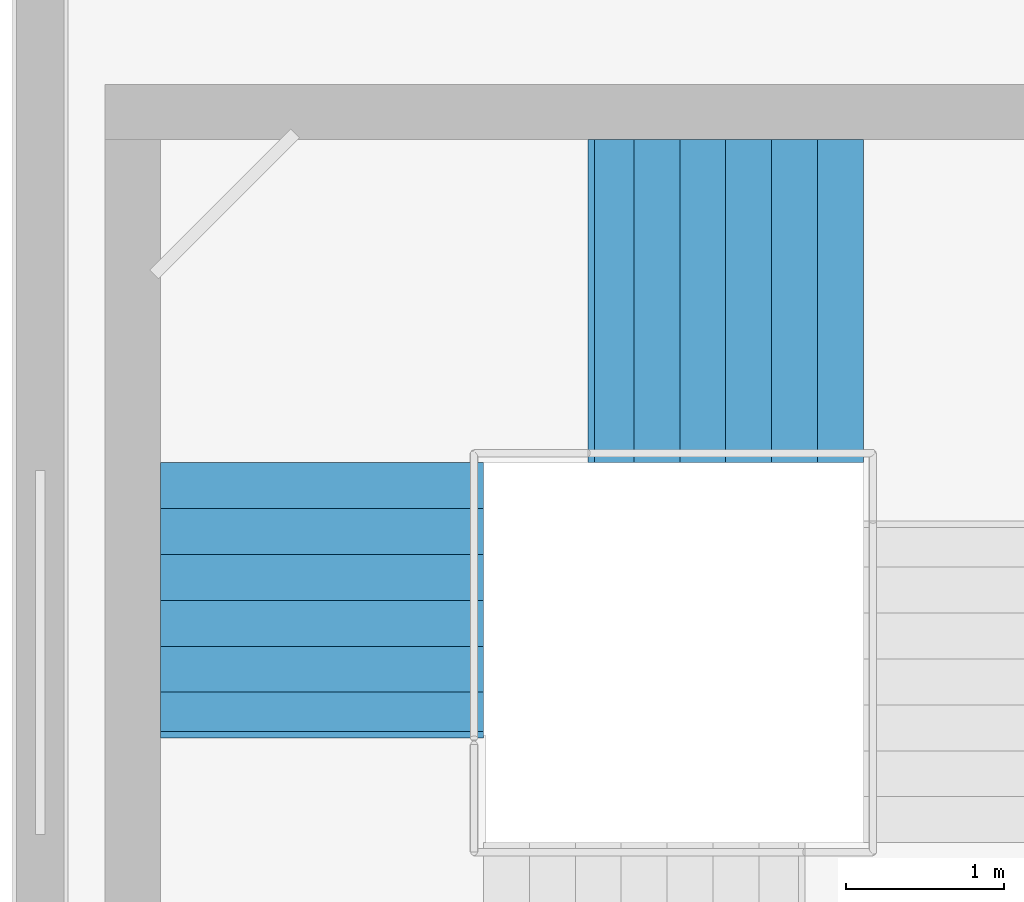
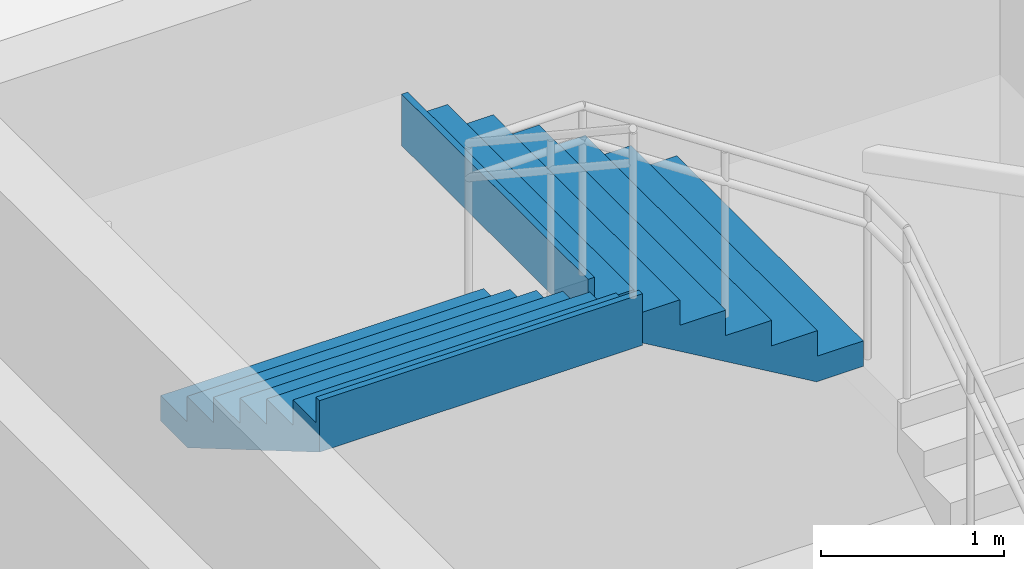
# One storey, part 63 of 66: 2 stair flights, 1 element without a shape of its own.
"""IFC4 building model written with IfcOpenShell, lengths in metres."""

from ifc_helpers import new_model, si_unit, direction, frame, origin, place, context, subcontext, project, spatial, triangles, material, type_object, element, aggregate, save


model = new_model("IFC4")

# Units and contexts
model_context = context("Model", 3, precision=1e-05, world=origin(), true_north=direction((0.0, 1.0)))
body_context = subcontext(model_context, "Body", "Model", "MODEL_VIEW")
ifc_project = project(units=[si_unit("LENGTHUNIT", "METRE"), si_unit("AREAUNIT", "SQUARE_METRE"), si_unit("VOLUMEUNIT", "CUBIC_METRE"), si_unit("PLANEANGLEUNIT", "RADIAN"), si_unit("MASSUNIT", "GRAM", prefix="KILO")], contexts=[model_context])

# Site, building, storey
site_placement = place(None, origin())
site = spatial("IfcSite", under=ifc_project, at=site_placement, CompositionType="ELEMENT")
building_placement = place(site_placement, origin())
building = spatial("IfcBuilding", under=site, at=building_placement, Name="Sillaruma Civic Art Gallery", CompositionType="ELEMENT")
storey_placement = place(building_placement, frame((0.0, 0.0, 57.1201171875)))
storey = spatial("IfcBuildingStorey", under=building, at=storey_placement, Name="L11", CompositionType="ELEMENT", Elevation=57.1201171875)

# Stair, stair flights
ifc_material = material(Name="Concrete H35 (35 MPa)", Category="concrete")
stair_type = type_object("IfcStairType", Name="STR-4F-30", PredefinedType="USERDEFINED", material=ifc_material)
stair_placement = place(storey_placement, origin())
stair = element("IfcStair", 1, at=stair_placement, inside=storey, type_object=stair_type, Name="Protected Exit Stair ST-02 (West Bar North) (L11)", ObjectType="THREE_RETURN_STAIR", PredefinedType="USERDEFINED")
stair_flight_type = type_object("IfcStairFlightType", Name="SFL-STR-7", PredefinedType="STRAIGHT", material=ifc_material)
stair_flight_1_placement = place(storey_placement, frame((67.199951171875, 86.3701171875, 2.719970703125), z_axis=(0.0, 0.0, 1.0), x_axis=(-1.0, 0.0, 0.0)))
stair_flight_1 = element("IfcStairFlight", 2, at=stair_flight_1_placement, type_object=stair_flight_type, Name="ST-02 flight 3", NumberOfRisers=7, NumberOfTreads=6, PredefinedType="STRAIGHT", RiserHeight=0.17, TreadLength=0.29, context=body_context, shape_type="Tessellation", body=[
    triangles([(0.0, -1.02001953125, 0.0), (0.29, -1.02001953125, 0.0), (0.296404, -1.02001953125, 0.0), (0.58, -1.02001953125, 0.166246), (0.87, -1.02001953125, 0.336246), (1.16, -1.02001953125, 0.506246), (1.45, -1.02001953125, 0.676246), (1.69999, -1.02001953125, 0.822792), (1.73999, -1.02001953125, 0.84624), (1.73999, -1.02001953125, 1.19), (1.69999, -1.02001953125, 1.19), (1.69999, -1.02001953125, 1.02), (1.45, -1.02001953125, 1.02), (1.45, -1.02001953125, 0.85), (1.16, -1.02001953125, 0.85), (1.16, -1.02001953125, 0.68), (0.87, -1.02001953125, 0.68), (0.87, -1.02001953125, 0.51), (0.58, -1.02001953125, 0.51), (0.58, -1.02001953125, 0.34), (0.296404, -1.02001953125, 0.34), (0.29, -1.02001953125, 0.34), (0.29, -1.02001953125, 0.17), (0.0, -1.02001953125, 0.17), (0.0, -0.05, 0.0), (0.29, -0.05, 0.0), (0.296404, -0.05, 0.0), (0.58, -0.05, 0.166246), (0.87, -0.05, 0.336246), (1.16, -0.05, 0.506246), (1.45, -0.05, 0.676246), (1.69999, -0.05, 0.822792), (1.73999, -0.05, 0.84624), (1.73999, -0.05, 1.19), (1.69999, -0.05, 1.19), (1.69999, -0.05, 1.02), (1.45, -0.05, 1.02), (1.45, -0.05, 0.85), (1.16, -0.05, 0.85), (1.16, -0.05, 0.68), (0.87, -0.05, 0.68), (0.87, -0.05, 0.51), (0.58, -0.05, 0.51), (0.58, -0.05, 0.34), (0.296404, -0.05, 0.34), (0.29, -0.05, 0.34), (0.29, -0.05, 0.17), (0.0, -0.05, 0.17), (0.0, -0.0375, 0.0), (0.29, -0.0375, 0.0), (0.296404, -0.0375, 0.0), (0.58, -0.0375, 0.166246), (0.87, -0.0375, 0.336246), (1.16, -0.0375, 0.506246), (1.45, -0.0375, 0.676246), (1.69999, -0.0375, 0.822792), (1.73999, -0.0375, 0.84624), (1.73999, -0.0375, 1.19), (1.69999, -0.0375, 1.19), (1.69999, -0.0375, 1.02), (1.45, -0.0375, 1.02), (1.45, -0.0375, 0.85), (1.16, -0.0375, 0.85), (1.16, -0.0375, 0.68), (0.87, -0.0375, 0.68), (0.87, -0.0375, 0.51), (0.58, -0.0375, 0.51), (0.58, -0.0375, 0.34), (0.296404, -0.0375, 0.34), (0.29, -0.0375, 0.34), (0.29, -0.0375, 0.17), (0.0, -0.0375, 0.17), (0.0, -0.025, 0.0), (0.29, -0.025, 0.0), (0.296404, -0.025, 0.0), (0.58, -0.025, 0.166246), (0.87, -0.025, 0.336246), (1.16, -0.025, 0.506246), (1.45, -0.025, 0.676246), (1.69999, -0.025, 0.822792), (1.73999, -0.025, 0.84624), (1.73999, -0.025, 1.19), (1.69999, -0.025, 1.19), (1.69999, -0.025, 1.02), (1.45, -0.025, 1.02), (1.45, -0.025, 0.85), (1.16, -0.025, 0.85), (1.16, -0.025, 0.68), (0.87, -0.025, 0.68), (0.87, -0.025, 0.51), (0.58, -0.025, 0.51), (0.58, -0.025, 0.34), (0.296404, -0.025, 0.34), (0.29, -0.025, 0.34), (0.29, -0.025, 0.17), (0.0, -0.025, 0.17), (0.0, -0.0125, 0.0), (0.29, -0.0125, 0.0), (0.296404, -0.0125, 0.0), (0.58, -0.0125, 0.166246), (0.87, -0.0125, 0.336246), (1.16, -0.0125, 0.506246), (1.45, -0.0125, 0.676246), (1.69999, -0.0125, 0.822792), (1.73999, -0.0125, 0.84624), (1.73999, -0.0125, 1.19), (1.69999, -0.0125, 1.19), (1.69999, -0.0125, 1.02), (1.45, -0.0125, 1.02), (1.45, -0.0125, 0.85), (1.16, -0.0125, 0.85), (1.16, -0.0125, 0.68), (0.87, -0.0125, 0.68), (0.87, -0.0125, 0.51), (0.58, -0.0125, 0.51), (0.58, -0.0125, 0.34), (0.296404, -0.0125, 0.34), (0.29, -0.0125, 0.34), (0.29, -0.0125, 0.17), (0.0, -0.0125, 0.17), (0.0, 0.0, 0.0), (0.29, 0.0, 0.0), (0.296404, 0.0, 0.0), (0.58, 0.0, 0.166246), (0.87, 0.0, 0.336246), (1.16, 0.0, 0.506246), (1.45, 0.0, 0.676246), (1.69999, 0.0, 0.822792), (1.73999, 0.0, 0.84624), (1.73999, 0.0, 1.19), (1.69999, 0.0, 1.19), (1.69999, 0.0, 1.02), (1.45, 0.0, 1.02), (1.45, 0.0, 0.85), (1.16, 0.0, 0.85), (1.16, 0.0, 0.68), (0.87, 0.0, 0.68), (0.87, 0.0, 0.51), (0.58, 0.0, 0.51), (0.58, 0.0, 0.34), (0.296404, 0.0, 0.34), (0.29, 0.0, 0.34), (0.29, 0.0, 0.17), (0.0, 0.0, 0.17), (0.0, 0.0125, 0.0), (0.29, 0.0125, 0.0), (0.296404, 0.0125, 0.0), (0.58, 0.0125, 0.166246), (0.87, 0.0125, 0.336246), (1.16, 0.0125, 0.506246), (1.45, 0.0125, 0.676246), (1.69999, 0.0125, 0.822792), (1.73999, 0.0125, 0.84624), (1.73999, 0.0125, 1.19), (1.69999, 0.0125, 1.19), (1.69999, 0.0125, 1.02), (1.45, 0.0125, 1.02), (1.45, 0.0125, 0.85), (1.16, 0.0125, 0.85), (1.16, 0.0125, 0.68), (0.87, 0.0125, 0.68), (0.87, 0.0125, 0.51), (0.58, 0.0125, 0.51), (0.58, 0.0125, 0.34), (0.296404, 0.0125, 0.34), (0.29, 0.0125, 0.34), (0.29, 0.0125, 0.17), (0.0, 0.0125, 0.17), (0.0, 0.025, 0.0), (0.29, 0.025, 0.0), (0.296404, 0.025, 0.0), (0.58, 0.025, 0.166246), (0.87, 0.025, 0.336246), (1.16, 0.025, 0.506246), (1.45, 0.025, 0.676246), (1.69999, 0.025, 0.822792), (1.73999, 0.025, 0.84624), (1.73999, 0.025, 1.19), (1.69999, 0.025, 1.19), (1.69999, 0.025, 1.02), (1.45, 0.025, 1.02), (1.45, 0.025, 0.85), (1.16, 0.025, 0.85), (1.16, 0.025, 0.68), (0.87, 0.025, 0.68), (0.87, 0.025, 0.51), (0.58, 0.025, 0.51), (0.58, 0.025, 0.34), (0.296404, 0.025, 0.34), (0.29, 0.025, 0.34), (0.29, 0.025, 0.17), (0.0, 0.025, 0.17), (0.0, 0.0375, 0.0), (0.29, 0.0375, 0.0), (0.296404, 0.0375, 0.0), (0.58, 0.0375, 0.166246), (0.87, 0.0375, 0.336246), (1.16, 0.0375, 0.506246), (1.45, 0.0375, 0.676246), (1.69999, 0.0375, 0.822792), (1.73999, 0.0375, 0.84624), (1.73999, 0.0375, 1.19), (1.69999, 0.0375, 1.19), (1.69999, 0.0375, 1.02), (1.45, 0.0375, 1.02), (1.45, 0.0375, 0.85), (1.16, 0.0375, 0.85), (1.16, 0.0375, 0.68), (0.87, 0.0375, 0.68), (0.87, 0.0375, 0.51), (0.58, 0.0375, 0.51), (0.58, 0.0375, 0.34), (0.296404, 0.0375, 0.34), (0.29, 0.0375, 0.34), (0.29, 0.0375, 0.17), (0.0, 0.0375, 0.17), (0.0, 0.05, 0.0), (0.29, 0.05, 0.0), (0.296404, 0.05, 0.0), (0.58, 0.05, 0.166246), (0.87, 0.05, 0.336246), (1.16, 0.05, 0.506246), (1.45, 0.05, 0.676246), (1.69999, 0.05, 0.822792), (1.73999, 0.05, 0.84624), (1.73999, 0.05, 1.19), (1.69999, 0.05, 1.19), (1.69999, 0.05, 1.02), (1.45, 0.05, 1.02), (1.45, 0.05, 0.85), (1.16, 0.05, 0.85), (1.16, 0.05, 0.68), (0.87, 0.05, 0.68), (0.87, 0.05, 0.51), (0.58, 0.05, 0.51), (0.58, 0.05, 0.34), (0.296404, 0.05, 0.34), (0.29, 0.05, 0.34), (0.29, 0.05, 0.17), (0.0, 0.05, 0.17), (0.0, 1.02001953125, 0.0), (0.29, 1.02001953125, 0.0), (0.296404, 1.02001953125, 0.0), (0.58, 1.02001953125, 0.166246), (0.87, 1.02001953125, 0.336246), (1.16, 1.02001953125, 0.506246), (1.45, 1.02001953125, 0.676246), (1.69999, 1.02001953125, 0.822792), (1.73999, 1.02001953125, 0.84624), (1.73999, 1.02001953125, 1.19), (1.69999, 1.02001953125, 1.19), (1.69999, 1.02001953125, 1.02), (1.45, 1.02001953125, 1.02), (1.45, 1.02001953125, 0.85), (1.16, 1.02001953125, 0.85), (1.16, 1.02001953125, 0.68), (0.87, 1.02001953125, 0.68), (0.87, 1.02001953125, 0.51), (0.58, 1.02001953125, 0.51), (0.58, 1.02001953125, 0.34), (0.296404, 1.02001953125, 0.34), (0.29, 1.02001953125, 0.34), (0.29, 1.02001953125, 0.17), (0.0, 1.02001953125, 0.17)], [[1, 2, 23], [1, 23, 24], [2, 3, 21], [2, 21, 23], [23, 21, 22], [3, 4, 20], [3, 20, 21], [4, 5, 18], [4, 18, 20], [20, 18, 19], [5, 6, 16], [5, 16, 18], [18, 16, 17], [6, 7, 14], [6, 14, 16], [16, 14, 15], [7, 8, 12], [7, 12, 14], [14, 12, 13], [8, 9, 10], [8, 10, 12], [12, 10, 11], [263, 242, 241], [264, 263, 241], [261, 243, 242], [263, 261, 242], [262, 261, 263], [260, 244, 243], [261, 260, 243], [258, 245, 244], [260, 258, 244], [259, 258, 260], [256, 246, 245], [258, 256, 245], [257, 256, 258], [254, 247, 246], [256, 254, 246], [255, 254, 256], [252, 248, 247], [254, 252, 247], [253, 252, 254], [250, 249, 248], [252, 250, 248], [251, 250, 252], [2, 1, 25], [2, 25, 26], [3, 2, 26], [3, 26, 27], [4, 3, 27], [4, 27, 28], [5, 4, 28], [5, 28, 29], [6, 5, 29], [6, 29, 30], [7, 6, 30], [7, 30, 31], [8, 7, 31], [8, 31, 32], [9, 8, 32], [9, 32, 33], [10, 9, 33], [10, 33, 34], [11, 10, 34], [11, 34, 35], [12, 11, 35], [12, 35, 36], [13, 12, 36], [13, 36, 37], [14, 13, 37], [14, 37, 38], [15, 14, 38], [15, 38, 39], [16, 15, 39], [16, 39, 40], [17, 16, 40], [17, 40, 41], [18, 17, 41], [18, 41, 42], [19, 18, 42], [19, 42, 43], [20, 19, 43], [20, 43, 44], [21, 20, 44], [21, 44, 45], [22, 21, 45], [22, 45, 46], [23, 22, 46], [23, 46, 47], [24, 23, 47], [24, 47, 48], [1, 24, 48], [1, 48, 25], [26, 25, 49], [26, 49, 50], [27, 26, 50], [27, 50, 51], [28, 27, 51], [28, 51, 52], [29, 28, 52], [29, 52, 53], [30, 29, 53], [30, 53, 54], [31, 30, 54], [31, 54, 55], [32, 31, 55], [32, 55, 56], [33, 32, 56], [33, 56, 57], [34, 33, 57], [34, 57, 58], [35, 34, 58], [35, 58, 59], [36, 35, 59], [36, 59, 60], [37, 36, 60], [37, 60, 61], [38, 37, 61], [38, 61, 62], [39, 38, 62], [39, 62, 63], [40, 39, 63], [40, 63, 64], [41, 40, 64], [41, 64, 65], [42, 41, 65], [42, 65, 66], [43, 42, 66], [43, 66, 67], [44, 43, 67], [44, 67, 68], [45, 44, 68], [45, 68, 69], [46, 45, 69], [46, 69, 70], [47, 46, 70], [47, 70, 71], [48, 47, 71], [48, 71, 72], [25, 48, 72], [25, 72, 49], [50, 49, 73], [50, 73, 74], [51, 50, 74], [51, 74, 75], [52, 51, 75], [52, 75, 76], [53, 52, 76], [53, 76, 77], [54, 53, 77], [54, 77, 78], [55, 54, 78], [55, 78, 79], [56, 55, 79], [56, 79, 80], [57, 56, 80], [57, 80, 81], [58, 57, 81], [58, 81, 82], [59, 58, 82], [59, 82, 83], [60, 59, 83], [60, 83, 84], [61, 60, 84], [61, 84, 85], [62, 61, 85], [62, 85, 86], [63, 62, 86], [63, 86, 87], [64, 63, 87], [64, 87, 88], [65, 64, 88], [65, 88, 89], [66, 65, 89], [66, 89, 90], [67, 66, 90], [67, 90, 91], [68, 67, 91], [68, 91, 92], [69, 68, 92], [69, 92, 93], [70, 69, 93], [70, 93, 94], [71, 70, 94], [71, 94, 95], [72, 71, 95], [72, 95, 96], [49, 72, 96], [49, 96, 73], [74, 73, 97], [74, 97, 98], [75, 74, 98], [75, 98, 99], [76, 75, 99], [76, 99, 100], [77, 76, 100], [77, 100, 101], [78, 77, 101], [78, 101, 102], [79, 78, 102], [79, 102, 103], [80, 79, 103], [80, 103, 104], [81, 80, 104], [81, 104, 105], [82, 81, 105], [82, 105, 106], [83, 82, 106], [83, 106, 107], [84, 83, 107], [84, 107, 108], [85, 84, 108], [85, 108, 109], [86, 85, 109], [86, 109, 110], [87, 86, 110], [87, 110, 111], [88, 87, 111], [88, 111, 112], [89, 88, 112], [89, 112, 113], [90, 89, 113], [90, 113, 114], [91, 90, 114], [91, 114, 115], [92, 91, 115], [92, 115, 116], [93, 92, 116], [93, 116, 117], [94, 93, 117], [94, 117, 118], [95, 94, 118], [95, 118, 119], [96, 95, 119], [96, 119, 120], [73, 96, 120], [73, 120, 97], [98, 97, 121], [98, 121, 122], [99, 98, 122], [99, 122, 123], [100, 99, 123], [100, 123, 124], [101, 100, 124], [101, 124, 125], [102, 101, 125], [102, 125, 126], [103, 102, 126], [103, 126, 127], [104, 103, 127], [104, 127, 128], [105, 104, 128], [105, 128, 129], [106, 105, 129], [106, 129, 130], [107, 106, 130], [107, 130, 131], [108, 107, 131], [108, 131, 132], [109, 108, 132], [109, 132, 133], [110, 109, 133], [110, 133, 134], [111, 110, 134], [111, 134, 135], [112, 111, 135], [112, 135, 136], [113, 112, 136], [113, 136, 137], [114, 113, 137], [114, 137, 138], [115, 114, 138], [115, 138, 139], [116, 115, 139], [116, 139, 140], [117, 116, 140], [117, 140, 141], [118, 117, 141], [118, 141, 142], [119, 118, 142], [119, 142, 143], [120, 119, 143], [120, 143, 144], [97, 120, 144], [97, 144, 121], [122, 121, 145], [122, 145, 146], [123, 122, 146], [123, 146, 147], [124, 123, 147], [124, 147, 148], [125, 124, 148], [125, 148, 149], [126, 125, 149], [126, 149, 150], [127, 126, 150], [127, 150, 151], [128, 127, 151], [128, 151, 152], [129, 128, 152], [129, 152, 153], [130, 129, 153], [130, 153, 154], [131, 130, 154], [131, 154, 155], [132, 131, 155], [132, 155, 156], [133, 132, 156], [133, 156, 157], [134, 133, 157], [134, 157, 158], [135, 134, 158], [135, 158, 159], [136, 135, 159], [136, 159, 160], [137, 136, 160], [137, 160, 161], [138, 137, 161], [138, 161, 162], [139, 138, 162], [139, 162, 163], [140, 139, 163], [140, 163, 164], [141, 140, 164], [141, 164, 165], [142, 141, 165], [142, 165, 166], [143, 142, 166], [143, 166, 167], [144, 143, 167], [144, 167, 168], [121, 144, 168], [121, 168, 145], [146, 145, 169], [146, 169, 170], [147, 146, 170], [147, 170, 171], [148, 147, 171], [148, 171, 172], [149, 148, 172], [149, 172, 173], [150, 149, 173], [150, 173, 174], [151, 150, 174], [151, 174, 175], [152, 151, 175], [152, 175, 176], [153, 152, 176], [153, 176, 177], [154, 153, 177], [154, 177, 178], [155, 154, 178], [155, 178, 179], [156, 155, 179], [156, 179, 180], [157, 156, 180], [157, 180, 181], [158, 157, 181], [158, 181, 182], [159, 158, 182], [159, 182, 183], [160, 159, 183], [160, 183, 184], [161, 160, 184], [161, 184, 185], [162, 161, 185], [162, 185, 186], [163, 162, 186], [163, 186, 187], [164, 163, 187], [164, 187, 188], [165, 164, 188], [165, 188, 189], [166, 165, 189], [166, 189, 190], [167, 166, 190], [167, 190, 191], [168, 167, 191], [168, 191, 192], [145, 168, 192], [145, 192, 169], [170, 169, 193], [170, 193, 194], [171, 170, 194], [171, 194, 195], [172, 171, 195], [172, 195, 196], [173, 172, 196], [173, 196, 197], [174, 173, 197], [174, 197, 198], [175, 174, 198], [175, 198, 199], [176, 175, 199], [176, 199, 200], [177, 176, 200], [177, 200, 201], [178, 177, 201], [178, 201, 202], [179, 178, 202], [179, 202, 203], [180, 179, 203], [180, 203, 204], [181, 180, 204], [181, 204, 205], [182, 181, 205], [182, 205, 206], [183, 182, 206], [183, 206, 207], [184, 183, 207], [184, 207, 208], [185, 184, 208], [185, 208, 209], [186, 185, 209], [186, 209, 210], [187, 186, 210], [187, 210, 211], [188, 187, 211], [188, 211, 212], [189, 188, 212], [189, 212, 213], [190, 189, 213], [190, 213, 214], [191, 190, 214], [191, 214, 215], [192, 191, 215], [192, 215, 216], [169, 192, 216], [169, 216, 193], [194, 193, 217], [194, 217, 218], [195, 194, 218], [195, 218, 219], [196, 195, 219], [196, 219, 220], [197, 196, 220], [197, 220, 221], [198, 197, 221], [198, 221, 222], [199, 198, 222], [199, 222, 223], [200, 199, 223], [200, 223, 224], [201, 200, 224], [201, 224, 225], [202, 201, 225], [202, 225, 226], [203, 202, 226], [203, 226, 227], [204, 203, 227], [204, 227, 228], [205, 204, 228], [205, 228, 229], [206, 205, 229], [206, 229, 230], [207, 206, 230], [207, 230, 231], [208, 207, 231], [208, 231, 232], [209, 208, 232], [209, 232, 233], [210, 209, 233], [210, 233, 234], [211, 210, 234], [211, 234, 235], [212, 211, 235], [212, 235, 236], [213, 212, 236], [213, 236, 237], [214, 213, 237], [214, 237, 238], [215, 214, 238], [215, 238, 239], [216, 215, 239], [216, 239, 240], [193, 216, 240], [193, 240, 217], [218, 217, 241], [218, 241, 242], [219, 218, 242], [219, 242, 243], [220, 219, 243], [220, 243, 244], [221, 220, 244], [221, 244, 245], [222, 221, 245], [222, 245, 246], [223, 222, 246], [223, 246, 247], [224, 223, 247], [224, 247, 248], [225, 224, 248], [225, 248, 249], [226, 225, 249], [226, 249, 250], [227, 226, 250], [227, 250, 251], [228, 227, 251], [228, 251, 252], [229, 228, 252], [229, 252, 253], [230, 229, 253], [230, 253, 254], [231, 230, 254], [231, 254, 255], [232, 231, 255], [232, 255, 256], [233, 232, 256], [233, 256, 257], [234, 233, 257], [234, 257, 258], [235, 234, 258], [235, 258, 259], [236, 235, 259], [236, 259, 260], [237, 236, 260], [237, 260, 261], [238, 237, 261], [238, 261, 262], [239, 238, 262], [239, 262, 263], [240, 239, 263], [240, 263, 264], [217, 240, 264], [217, 264, 241]], closed=True),
])
stair_flight_2_placement = place(storey_placement, frame((63.780029296875, 85.35009765625, 3.909912109375), z_axis=(0.0, 0.0, 1.0), x_axis=(0.0, -1.0, 0.0)))
stair_flight_2 = element("IfcStairFlight", 3, at=stair_flight_2_placement, type_object=stair_flight_type, Name="ST-02 flight 4", NumberOfRisers=7, NumberOfTreads=6, PredefinedType="STRAIGHT", RiserHeight=0.17, TreadLength=0.29, context=body_context, shape_type="Tessellation", body=[
    triangles([(0.0, -1.02001953125, 0.0), (0.29, -1.02001953125, 0.0), (0.296404, -1.02001953125, 0.0), (0.58, -1.02001953125, 0.166246), (0.87, -1.02001953125, 0.336246), (1.16, -1.02001953125, 0.506246), (1.45, -1.02001953125, 0.676246), (1.69999, -1.02001953125, 0.822792), (1.73999, -1.02001953125, 0.84624), (1.73999, -1.02001953125, 1.19), (1.69999, -1.02001953125, 1.19), (1.69999, -1.02001953125, 1.02), (1.45, -1.02001953125, 1.02), (1.45, -1.02001953125, 0.85), (1.16, -1.02001953125, 0.85), (1.16, -1.02001953125, 0.68), (0.87, -1.02001953125, 0.68), (0.87, -1.02001953125, 0.51), (0.58, -1.02001953125, 0.51), (0.58, -1.02001953125, 0.34), (0.296404, -1.02001953125, 0.34), (0.29, -1.02001953125, 0.34), (0.29, -1.02001953125, 0.17), (0.0, -1.02001953125, 0.17), (0.0, -0.05, 0.0), (0.29, -0.05, 0.0), (0.296404, -0.05, 0.0), (0.58, -0.05, 0.166246), (0.87, -0.05, 0.336246), (1.16, -0.05, 0.506246), (1.45, -0.05, 0.676246), (1.69999, -0.05, 0.822792), (1.73999, -0.05, 0.84624), (1.73999, -0.05, 1.19), (1.69999, -0.05, 1.19), (1.69999, -0.05, 1.02), (1.45, -0.05, 1.02), (1.45, -0.05, 0.85), (1.16, -0.05, 0.85), (1.16, -0.05, 0.68), (0.87, -0.05, 0.68), (0.87, -0.05, 0.51), (0.58, -0.05, 0.51), (0.58, -0.05, 0.34), (0.296404, -0.05, 0.34), (0.29, -0.05, 0.34), (0.29, -0.05, 0.17), (0.0, -0.05, 0.17), (0.0, -0.0375, 0.0), (0.29, -0.0375, 0.0), (0.296404, -0.0375, 0.0), (0.58, -0.0375, 0.166246), (0.87, -0.0375, 0.336246), (1.16, -0.0375, 0.506246), (1.45, -0.0375, 0.676246), (1.69999, -0.0375, 0.822792), (1.73999, -0.0375, 0.84624), (1.73999, -0.0375, 1.19), (1.69999, -0.0375, 1.19), (1.69999, -0.0375, 1.02), (1.45, -0.0375, 1.02), (1.45, -0.0375, 0.85), (1.16, -0.0375, 0.85), (1.16, -0.0375, 0.68), (0.87, -0.0375, 0.68), (0.87, -0.0375, 0.51), (0.58, -0.0375, 0.51), (0.58, -0.0375, 0.34), (0.296404, -0.0375, 0.34), (0.29, -0.0375, 0.34), (0.29, -0.0375, 0.17), (0.0, -0.0375, 0.17), (0.0, -0.025, 0.0), (0.29, -0.025, 0.0), (0.296404, -0.025, 0.0), (0.58, -0.025, 0.166246), (0.87, -0.025, 0.336246), (1.16, -0.025, 0.506246), (1.45, -0.025, 0.676246), (1.69999, -0.025, 0.822792), (1.73999, -0.025, 0.84624), (1.73999, -0.025, 1.19), (1.69999, -0.025, 1.19), (1.69999, -0.025, 1.02), (1.45, -0.025, 1.02), (1.45, -0.025, 0.85), (1.16, -0.025, 0.85), (1.16, -0.025, 0.68), (0.87, -0.025, 0.68), (0.87, -0.025, 0.51), (0.58, -0.025, 0.51), (0.58, -0.025, 0.34), (0.296404, -0.025, 0.34), (0.29, -0.025, 0.34), (0.29, -0.025, 0.17), (0.0, -0.025, 0.17), (0.0, -0.0125, 0.0), (0.29, -0.0125, 0.0), (0.296404, -0.0125, 0.0), (0.58, -0.0125, 0.166246), (0.87, -0.0125, 0.336246), (1.16, -0.0125, 0.506246), (1.45, -0.0125, 0.676246), (1.69999, -0.0125, 0.822792), (1.73999, -0.0125, 0.84624), (1.73999, -0.0125, 1.19), (1.69999, -0.0125, 1.19), (1.69999, -0.0125, 1.02), (1.45, -0.0125, 1.02), (1.45, -0.0125, 0.85), (1.16, -0.0125, 0.85), (1.16, -0.0125, 0.68), (0.87, -0.0125, 0.68), (0.87, -0.0125, 0.51), (0.58, -0.0125, 0.51), (0.58, -0.0125, 0.34), (0.296404, -0.0125, 0.34), (0.29, -0.0125, 0.34), (0.29, -0.0125, 0.17), (0.0, -0.0125, 0.17), (0.0, 0.0, 0.0), (0.29, 0.0, 0.0), (0.296404, 0.0, 0.0), (0.58, 0.0, 0.166246), (0.87, 0.0, 0.336246), (1.16, 0.0, 0.506246), (1.45, 0.0, 0.676246), (1.69999, 0.0, 0.822792), (1.73999, 0.0, 0.84624), (1.73999, 0.0, 1.19), (1.69999, 0.0, 1.19), (1.69999, 0.0, 1.02), (1.45, 0.0, 1.02), (1.45, 0.0, 0.85), (1.16, 0.0, 0.85), (1.16, 0.0, 0.68), (0.87, 0.0, 0.68), (0.87, 0.0, 0.51), (0.58, 0.0, 0.51), (0.58, 0.0, 0.34), (0.296404, 0.0, 0.34), (0.29, 0.0, 0.34), (0.29, 0.0, 0.17), (0.0, 0.0, 0.17), (0.0, 0.0125, 0.0), (0.29, 0.0125, 0.0), (0.296404, 0.0125, 0.0), (0.58, 0.0125, 0.166246), (0.87, 0.0125, 0.336246), (1.16, 0.0125, 0.506246), (1.45, 0.0125, 0.676246), (1.69999, 0.0125, 0.822792), (1.73999, 0.0125, 0.84624), (1.73999, 0.0125, 1.19), (1.69999, 0.0125, 1.19), (1.69999, 0.0125, 1.02), (1.45, 0.0125, 1.02), (1.45, 0.0125, 0.85), (1.16, 0.0125, 0.85), (1.16, 0.0125, 0.68), (0.87, 0.0125, 0.68), (0.87, 0.0125, 0.51), (0.58, 0.0125, 0.51), (0.58, 0.0125, 0.34), (0.296404, 0.0125, 0.34), (0.29, 0.0125, 0.34), (0.29, 0.0125, 0.17), (0.0, 0.0125, 0.17), (0.0, 0.025, 0.0), (0.29, 0.025, 0.0), (0.296404, 0.025, 0.0), (0.58, 0.025, 0.166246), (0.87, 0.025, 0.336246), (1.16, 0.025, 0.506246), (1.45, 0.025, 0.676246), (1.69999, 0.025, 0.822792), (1.73999, 0.025, 0.84624), (1.73999, 0.025, 1.19), (1.69999, 0.025, 1.19), (1.69999, 0.025, 1.02), (1.45, 0.025, 1.02), (1.45, 0.025, 0.85), (1.16, 0.025, 0.85), (1.16, 0.025, 0.68), (0.87, 0.025, 0.68), (0.87, 0.025, 0.51), (0.58, 0.025, 0.51), (0.58, 0.025, 0.34), (0.296404, 0.025, 0.34), (0.29, 0.025, 0.34), (0.29, 0.025, 0.17), (0.0, 0.025, 0.17), (0.0, 0.0375, 0.0), (0.29, 0.0375, 0.0), (0.296404, 0.0375, 0.0), (0.58, 0.0375, 0.166246), (0.87, 0.0375, 0.336246), (1.16, 0.0375, 0.506246), (1.45, 0.0375, 0.676246), (1.69999, 0.0375, 0.822792), (1.73999, 0.0375, 0.84624), (1.73999, 0.0375, 1.19), (1.69999, 0.0375, 1.19), (1.69999, 0.0375, 1.02), (1.45, 0.0375, 1.02), (1.45, 0.0375, 0.85), (1.16, 0.0375, 0.85), (1.16, 0.0375, 0.68), (0.87, 0.0375, 0.68), (0.87, 0.0375, 0.51), (0.58, 0.0375, 0.51), (0.58, 0.0375, 0.34), (0.296404, 0.0375, 0.34), (0.29, 0.0375, 0.34), (0.29, 0.0375, 0.17), (0.0, 0.0375, 0.17), (0.0, 0.05, 0.0), (0.29, 0.05, 0.0), (0.296404, 0.05, 0.0), (0.58, 0.05, 0.166246), (0.87, 0.05, 0.336246), (1.16, 0.05, 0.506246), (1.45, 0.05, 0.676246), (1.69999, 0.05, 0.822792), (1.73999, 0.05, 0.84624), (1.73999, 0.05, 1.19), (1.69999, 0.05, 1.19), (1.69999, 0.05, 1.02), (1.45, 0.05, 1.02), (1.45, 0.05, 0.85), (1.16, 0.05, 0.85), (1.16, 0.05, 0.68), (0.87, 0.05, 0.68), (0.87, 0.05, 0.51), (0.58, 0.05, 0.51), (0.58, 0.05, 0.34), (0.296404, 0.05, 0.34), (0.29, 0.05, 0.34), (0.29, 0.05, 0.17), (0.0, 0.05, 0.17), (0.0, 1.02001953125, 0.0), (0.29, 1.02001953125, 0.0), (0.296404, 1.02001953125, 0.0), (0.58, 1.02001953125, 0.166246), (0.87, 1.02001953125, 0.336246), (1.16, 1.02001953125, 0.506246), (1.45, 1.02001953125, 0.676246), (1.69999, 1.02001953125, 0.822792), (1.73999, 1.02001953125, 0.84624), (1.73999, 1.02001953125, 1.19), (1.69999, 1.02001953125, 1.19), (1.69999, 1.02001953125, 1.02), (1.45, 1.02001953125, 1.02), (1.45, 1.02001953125, 0.85), (1.16, 1.02001953125, 0.85), (1.16, 1.02001953125, 0.68), (0.87, 1.02001953125, 0.68), (0.87, 1.02001953125, 0.51), (0.58, 1.02001953125, 0.51), (0.58, 1.02001953125, 0.34), (0.296404, 1.02001953125, 0.34), (0.29, 1.02001953125, 0.34), (0.29, 1.02001953125, 0.17), (0.0, 1.02001953125, 0.17)], [[1, 2, 23], [1, 23, 24], [2, 3, 21], [2, 21, 23], [23, 21, 22], [3, 4, 20], [3, 20, 21], [4, 5, 18], [4, 18, 20], [20, 18, 19], [5, 6, 16], [5, 16, 18], [18, 16, 17], [6, 7, 14], [6, 14, 16], [16, 14, 15], [7, 8, 12], [7, 12, 14], [14, 12, 13], [8, 9, 10], [8, 10, 12], [12, 10, 11], [263, 242, 241], [264, 263, 241], [261, 243, 242], [263, 261, 242], [262, 261, 263], [260, 244, 243], [261, 260, 243], [258, 245, 244], [260, 258, 244], [259, 258, 260], [256, 246, 245], [258, 256, 245], [257, 256, 258], [254, 247, 246], [256, 254, 246], [255, 254, 256], [252, 248, 247], [254, 252, 247], [253, 252, 254], [250, 249, 248], [252, 250, 248], [251, 250, 252], [2, 1, 25], [2, 25, 26], [3, 2, 26], [3, 26, 27], [4, 3, 27], [4, 27, 28], [5, 4, 28], [5, 28, 29], [6, 5, 29], [6, 29, 30], [7, 6, 30], [7, 30, 31], [8, 7, 31], [8, 31, 32], [9, 8, 32], [9, 32, 33], [10, 9, 33], [10, 33, 34], [11, 10, 34], [11, 34, 35], [12, 11, 35], [12, 35, 36], [13, 12, 36], [13, 36, 37], [14, 13, 37], [14, 37, 38], [15, 14, 38], [15, 38, 39], [16, 15, 39], [16, 39, 40], [17, 16, 40], [17, 40, 41], [18, 17, 41], [18, 41, 42], [19, 18, 42], [19, 42, 43], [20, 19, 43], [20, 43, 44], [21, 20, 44], [21, 44, 45], [22, 21, 45], [22, 45, 46], [23, 22, 46], [23, 46, 47], [24, 23, 47], [24, 47, 48], [1, 24, 48], [1, 48, 25], [26, 25, 49], [26, 49, 50], [27, 26, 50], [27, 50, 51], [28, 27, 51], [28, 51, 52], [29, 28, 52], [29, 52, 53], [30, 29, 53], [30, 53, 54], [31, 30, 54], [31, 54, 55], [32, 31, 55], [32, 55, 56], [33, 32, 56], [33, 56, 57], [34, 33, 57], [34, 57, 58], [35, 34, 58], [35, 58, 59], [36, 35, 59], [36, 59, 60], [37, 36, 60], [37, 60, 61], [38, 37, 61], [38, 61, 62], [39, 38, 62], [39, 62, 63], [40, 39, 63], [40, 63, 64], [41, 40, 64], [41, 64, 65], [42, 41, 65], [42, 65, 66], [43, 42, 66], [43, 66, 67], [44, 43, 67], [44, 67, 68], [45, 44, 68], [45, 68, 69], [46, 45, 69], [46, 69, 70], [47, 46, 70], [47, 70, 71], [48, 47, 71], [48, 71, 72], [25, 48, 72], [25, 72, 49], [50, 49, 73], [50, 73, 74], [51, 50, 74], [51, 74, 75], [52, 51, 75], [52, 75, 76], [53, 52, 76], [53, 76, 77], [54, 53, 77], [54, 77, 78], [55, 54, 78], [55, 78, 79], [56, 55, 79], [56, 79, 80], [57, 56, 80], [57, 80, 81], [58, 57, 81], [58, 81, 82], [59, 58, 82], [59, 82, 83], [60, 59, 83], [60, 83, 84], [61, 60, 84], [61, 84, 85], [62, 61, 85], [62, 85, 86], [63, 62, 86], [63, 86, 87], [64, 63, 87], [64, 87, 88], [65, 64, 88], [65, 88, 89], [66, 65, 89], [66, 89, 90], [67, 66, 90], [67, 90, 91], [68, 67, 91], [68, 91, 92], [69, 68, 92], [69, 92, 93], [70, 69, 93], [70, 93, 94], [71, 70, 94], [71, 94, 95], [72, 71, 95], [72, 95, 96], [49, 72, 96], [49, 96, 73], [74, 73, 97], [74, 97, 98], [75, 74, 98], [75, 98, 99], [76, 75, 99], [76, 99, 100], [77, 76, 100], [77, 100, 101], [78, 77, 101], [78, 101, 102], [79, 78, 102], [79, 102, 103], [80, 79, 103], [80, 103, 104], [81, 80, 104], [81, 104, 105], [82, 81, 105], [82, 105, 106], [83, 82, 106], [83, 106, 107], [84, 83, 107], [84, 107, 108], [85, 84, 108], [85, 108, 109], [86, 85, 109], [86, 109, 110], [87, 86, 110], [87, 110, 111], [88, 87, 111], [88, 111, 112], [89, 88, 112], [89, 112, 113], [90, 89, 113], [90, 113, 114], [91, 90, 114], [91, 114, 115], [92, 91, 115], [92, 115, 116], [93, 92, 116], [93, 116, 117], [94, 93, 117], [94, 117, 118], [95, 94, 118], [95, 118, 119], [96, 95, 119], [96, 119, 120], [73, 96, 120], [73, 120, 97], [98, 97, 121], [98, 121, 122], [99, 98, 122], [99, 122, 123], [100, 99, 123], [100, 123, 124], [101, 100, 124], [101, 124, 125], [102, 101, 125], [102, 125, 126], [103, 102, 126], [103, 126, 127], [104, 103, 127], [104, 127, 128], [105, 104, 128], [105, 128, 129], [106, 105, 129], [106, 129, 130], [107, 106, 130], [107, 130, 131], [108, 107, 131], [108, 131, 132], [109, 108, 132], [109, 132, 133], [110, 109, 133], [110, 133, 134], [111, 110, 134], [111, 134, 135], [112, 111, 135], [112, 135, 136], [113, 112, 136], [113, 136, 137], [114, 113, 137], [114, 137, 138], [115, 114, 138], [115, 138, 139], [116, 115, 139], [116, 139, 140], [117, 116, 140], [117, 140, 141], [118, 117, 141], [118, 141, 142], [119, 118, 142], [119, 142, 143], [120, 119, 143], [120, 143, 144], [97, 120, 144], [97, 144, 121], [122, 121, 145], [122, 145, 146], [123, 122, 146], [123, 146, 147], [124, 123, 147], [124, 147, 148], [125, 124, 148], [125, 148, 149], [126, 125, 149], [126, 149, 150], [127, 126, 150], [127, 150, 151], [128, 127, 151], [128, 151, 152], [129, 128, 152], [129, 152, 153], [130, 129, 153], [130, 153, 154], [131, 130, 154], [131, 154, 155], [132, 131, 155], [132, 155, 156], [133, 132, 156], [133, 156, 157], [134, 133, 157], [134, 157, 158], [135, 134, 158], [135, 158, 159], [136, 135, 159], [136, 159, 160], [137, 136, 160], [137, 160, 161], [138, 137, 161], [138, 161, 162], [139, 138, 162], [139, 162, 163], [140, 139, 163], [140, 163, 164], [141, 140, 164], [141, 164, 165], [142, 141, 165], [142, 165, 166], [143, 142, 166], [143, 166, 167], [144, 143, 167], [144, 167, 168], [121, 144, 168], [121, 168, 145], [146, 145, 169], [146, 169, 170], [147, 146, 170], [147, 170, 171], [148, 147, 171], [148, 171, 172], [149, 148, 172], [149, 172, 173], [150, 149, 173], [150, 173, 174], [151, 150, 174], [151, 174, 175], [152, 151, 175], [152, 175, 176], [153, 152, 176], [153, 176, 177], [154, 153, 177], [154, 177, 178], [155, 154, 178], [155, 178, 179], [156, 155, 179], [156, 179, 180], [157, 156, 180], [157, 180, 181], [158, 157, 181], [158, 181, 182], [159, 158, 182], [159, 182, 183], [160, 159, 183], [160, 183, 184], [161, 160, 184], [161, 184, 185], [162, 161, 185], [162, 185, 186], [163, 162, 186], [163, 186, 187], [164, 163, 187], [164, 187, 188], [165, 164, 188], [165, 188, 189], [166, 165, 189], [166, 189, 190], [167, 166, 190], [167, 190, 191], [168, 167, 191], [168, 191, 192], [145, 168, 192], [145, 192, 169], [170, 169, 193], [170, 193, 194], [171, 170, 194], [171, 194, 195], [172, 171, 195], [172, 195, 196], [173, 172, 196], [173, 196, 197], [174, 173, 197], [174, 197, 198], [175, 174, 198], [175, 198, 199], [176, 175, 199], [176, 199, 200], [177, 176, 200], [177, 200, 201], [178, 177, 201], [178, 201, 202], [179, 178, 202], [179, 202, 203], [180, 179, 203], [180, 203, 204], [181, 180, 204], [181, 204, 205], [182, 181, 205], [182, 205, 206], [183, 182, 206], [183, 206, 207], [184, 183, 207], [184, 207, 208], [185, 184, 208], [185, 208, 209], [186, 185, 209], [186, 209, 210], [187, 186, 210], [187, 210, 211], [188, 187, 211], [188, 211, 212], [189, 188, 212], [189, 212, 213], [190, 189, 213], [190, 213, 214], [191, 190, 214], [191, 214, 215], [192, 191, 215], [192, 215, 216], [169, 192, 216], [169, 216, 193], [194, 193, 217], [194, 217, 218], [195, 194, 218], [195, 218, 219], [196, 195, 219], [196, 219, 220], [197, 196, 220], [197, 220, 221], [198, 197, 221], [198, 221, 222], [199, 198, 222], [199, 222, 223], [200, 199, 223], [200, 223, 224], [201, 200, 224], [201, 224, 225], [202, 201, 225], [202, 225, 226], [203, 202, 226], [203, 226, 227], [204, 203, 227], [204, 227, 228], [205, 204, 228], [205, 228, 229], [206, 205, 229], [206, 229, 230], [207, 206, 230], [207, 230, 231], [208, 207, 231], [208, 231, 232], [209, 208, 232], [209, 232, 233], [210, 209, 233], [210, 233, 234], [211, 210, 234], [211, 234, 235], [212, 211, 235], [212, 235, 236], [213, 212, 236], [213, 236, 237], [214, 213, 237], [214, 237, 238], [215, 214, 238], [215, 238, 239], [216, 215, 239], [216, 239, 240], [193, 216, 240], [193, 240, 217], [218, 217, 241], [218, 241, 242], [219, 218, 242], [219, 242, 243], [220, 219, 243], [220, 243, 244], [221, 220, 244], [221, 244, 245], [222, 221, 245], [222, 245, 246], [223, 222, 246], [223, 246, 247], [224, 223, 247], [224, 247, 248], [225, 224, 248], [225, 248, 249], [226, 225, 249], [226, 249, 250], [227, 226, 250], [227, 250, 251], [228, 227, 251], [228, 251, 252], [229, 228, 252], [229, 252, 253], [230, 229, 253], [230, 253, 254], [231, 230, 254], [231, 254, 255], [232, 231, 255], [232, 255, 256], [233, 232, 256], [233, 256, 257], [234, 233, 257], [234, 257, 258], [235, 234, 258], [235, 258, 259], [236, 235, 259], [236, 259, 260], [237, 236, 260], [237, 260, 261], [238, 237, 261], [238, 261, 262], [239, 238, 262], [239, 262, 263], [240, 239, 263], [240, 263, 264], [217, 240, 264], [217, 264, 241]], closed=True),
])
aggregate(stair, [stair_flight_1, stair_flight_2])

save(model, "model.ifc")
